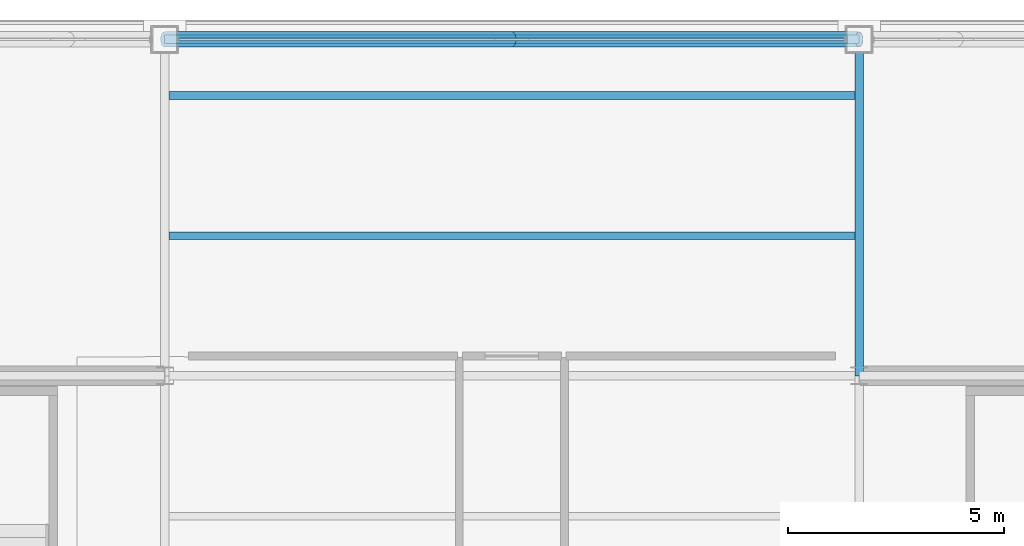
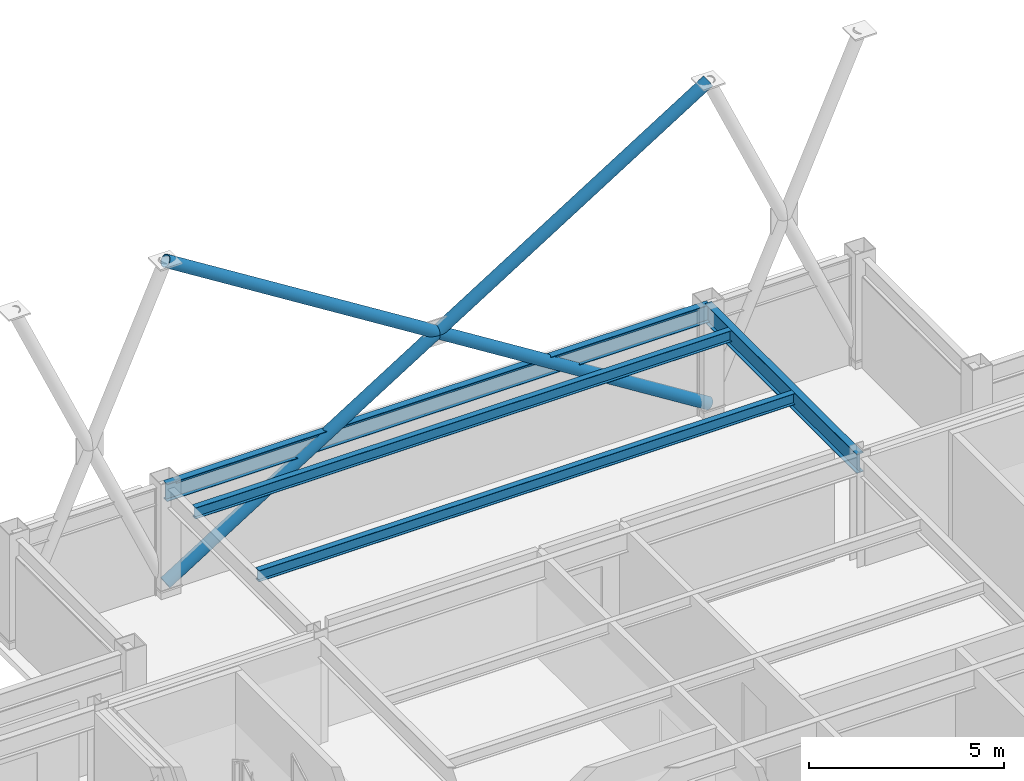
# One storey, part 19 of 27: 4 beams, 4 members, 1 element without a shape of its own.
"""IFC4 building model written with IfcOpenShell, lengths in metres."""

from ifc_helpers import new_model, si_unit, direction, frame, origin, origin_2d, place, context, subcontext, project, spatial, hollow_rectangle, hollow_circle, i_section, extrude, material, layer, layer_set, material_profile, profile_set, type_object, element, aggregate, save


model = new_model("IFC4")

# Units and contexts
model_context = context("Model", 3, precision=1e-05, world=origin(), true_north=direction((0.0, 1.0)))
body_context = subcontext(model_context, "Body", "Model", "MODEL_VIEW")
ifc_project = project(units=[si_unit("LENGTHUNIT", "METRE"), si_unit("AREAUNIT", "SQUARE_METRE"), si_unit("VOLUMEUNIT", "CUBIC_METRE"), si_unit("PLANEANGLEUNIT", "RADIAN"), si_unit("MASSUNIT", "GRAM", prefix="KILO")], contexts=[model_context])

# Site, building, storey
site_placement = place(None, origin())
site = spatial("IfcSite", under=ifc_project, at=site_placement, CompositionType="ELEMENT")
building_placement = place(site_placement, origin())
building = spatial("IfcBuilding", under=site, at=building_placement, Name="Brelmoor Portico Tower", CompositionType="ELEMENT")
storey_placement = place(building_placement, frame((0.0, 0.0, 258.0)))
storey = spatial("IfcBuildingStorey", under=building, at=storey_placement, Name="L68", CompositionType="ELEMENT", Elevation=258.0)

# Beams
ifc_material_1 = material(Name="Steel Q355B", Category="steel")
ifc_material_profile_1 = material_profile(ifc_material_1, i_section(OverallWidth=0.175048828125, OverallDepth=0.35009765625, WebThickness=0.007080078125, FlangeThickness=0.010986328125, at=origin_2d()), Name="HN 350x175x7x11")
ifc_profile_set_1 = profile_set([ifc_material_profile_1], Name="Steel Q355B")
beam_type_1 = type_object("IfcBeamType", Name="BM-JS-350", PredefinedType="JOIST", material=ifc_profile_set_1)
for number, where, z_axis, x_axis, name in (
    (1, (-7.949951171875, 13.0, 3.22509765625), (1.0, 0.0, 0.0), (0.0, 1.0, 0.0), "L68 Secondary Composite Joist JS-C05"),
    (2, (-7.949951171875, 16.25, 3.22509765625), (1.0, 0.0, 0.0), (0.0, 1.0, 0.0), "L68 Secondary Composite Joist JS-C06"),
):
    element("IfcBeam", number, at=place(storey_placement, frame(where, z_axis=z_axis, x_axis=x_axis)), inside=storey, type_object=beam_type_1, Name=name, PredefinedType="JOIST", context=body_context, shape_type="SweptSolid", body=[
        extrude(i_section(OverallWidth=0.175048828125, OverallDepth=0.35009765625, WebThickness=0.007080078125, FlangeThickness=0.010986328125, at=origin_2d()), origin(), (0.0, 0.0, 1.0), 15.89990234375),
    ])
ifc_material_profile_2 = material_profile(ifc_material_1, i_section(OverallWidth=0.199951171875, OverallDepth=0.60009765625, WebThickness=0.010986328125, FlangeThickness=0.01708984375, at=origin_2d()), Name="HN 600x200x11x17")
ifc_profile_set_2 = profile_set([ifc_material_profile_2], Name="Steel Q355B")
beam_type_2 = type_object("IfcBeamType", Name="BM-PG-600", PredefinedType="BEAM", material=ifc_profile_set_2)
beam_1_placement = place(storey_placement, frame((8.050048828125, 9.75, 3.10009765625), z_axis=(0.0, 1.0, 0.0), x_axis=(-1.0, 0.0, 0.0)))
element("IfcBeam", 3, at=beam_1_placement, inside=storey, type_object=beam_type_2, Name="L68 Primary Floor Girder PG-08", PredefinedType="BEAM", context=body_context, shape_type="SweptSolid", body=[
    extrude(i_section(OverallWidth=0.199951171875, OverallDepth=0.60009765625, WebThickness=0.010986328125, FlangeThickness=0.01708984375, at=origin_2d()), origin(), (0.0, 0.0, 1.0), 7.800048828125),
])
ifc_material_profile_3 = material_profile(ifc_material_1, i_section(OverallWidth=0.199951171875, OverallDepth=0.550048828125, WebThickness=0.010009765625, FlangeThickness=0.01611328125, at=origin_2d()), Name="HN 550x200x10x16")
ifc_profile_set_3 = profile_set([ifc_material_profile_3], Name="Steel Q355B")
beam_type_3 = type_object("IfcBeamType", Name="BM-SP-550", PredefinedType="SPANDREL", material=ifc_profile_set_3)
beam_2_placement = place(storey_placement, frame((-8.050048828125, 17.550048828125, 3.125), z_axis=(1.0, 0.0, 0.0), x_axis=(0.0, 1.0, 0.0)))
element("IfcBeam", 4, at=beam_2_placement, inside=storey, type_object=beam_type_3, Name="L68 Perimeter Spandrel Beam SP-09", PredefinedType="SPANDREL", context=body_context, shape_type="SweptSolid", body=[
    extrude(i_section(OverallWidth=0.199951171875, OverallDepth=0.550048828125, WebThickness=0.010009765625, FlangeThickness=0.01611328125, at=origin_2d()), origin(), (0.0, 0.0, 1.0), 16.10009765625),
])

# Members
ifc_material_profile_4 = material_profile(ifc_material_1, hollow_circle(Radius=0.177978515625, WallThickness=0.01611328125, at=origin_2d()), Name="CHS 356x16")
ifc_profile_set_4 = profile_set([ifc_material_profile_4], Name="Steel Q355B")
member_type_1 = type_object("IfcMemberType", Name="MB-BELT-DIAG2", PredefinedType="BRACE", material=ifc_profile_set_4)
member_1_placement = place(storey_placement, frame((-8.050048828125, 17.550048828125, 0.25), z_axis=(0.847109476093, 0.0, 0.531418418493), x_axis=(0.0, 1.0, 0.0)))
element("IfcMember", 5, at=member_1_placement, inside=storey, type_object=member_type_1, Name="L68 Continuous Mega-X Brace 152A", PredefinedType="BRACE", context=body_context, shape_type="SweptSolid", body=[
    extrude(hollow_circle(Radius=0.177978515625, WallThickness=0.01611328125, at=origin_2d()), origin(), (0.0, 0.0, 1.0), 19.005859375),
])
for number, where, z_axis, x_axis, name in (
    (6, (8.050048828125, 17.550048828125, 0.25), (-0.847109476093, 0.0, 0.531418418493), (0.0, -1.0, 0.0), "L68 Split Mega-X Brace 152B1"),
    (7, (0.0, 17.550048828125, 5.300048828125), (-0.847109476093, 0.0, 0.531418418493), (0.0, -1.0, 0.0), "L68 Split Mega-X Brace 152B2"),
):
    element("IfcMember", number, at=place(storey_placement, frame(where, z_axis=z_axis, x_axis=x_axis)), inside=storey, type_object=member_type_1, Name=name, PredefinedType="BRACE", context=body_context, shape_type="SweptSolid", body=[
        extrude(hollow_circle(Radius=0.177978515625, WallThickness=0.01611328125, at=origin_2d()), origin(), (0.0, 0.0, 1.0), 9.5029296875),
    ])

# Curtain wall, member
ifc_material_2 = material(Name="Anodised Aluminium Alloy 6063-T6", Category="aluminium")
ifc_layer = layer(ifc_material_2, 0.179931640625)
ifc_layer_set = layer_set([ifc_layer], Name="Anodised Aluminium Alloy 6063-T6")
curtain_wall_type = type_object("IfcCurtainWallType", Name="CW-TOWER-Z4-XB", PredefinedType="NOTDEFINED", material=ifc_layer_set)
curtain_wall_placement = place(storey_placement, origin())
curtain_wall = element("IfcCurtainWall", 8, at=curtain_wall_placement, inside=storey, type_object=curtain_wall_type, Name="L68 Curtain Wall CW-L68-02-2", PredefinedType="NOTDEFINED")
ifc_material_profile_5 = material_profile(ifc_material_2, hollow_rectangle(XDim=0.06005859375, YDim=0.125, WallThickness=0.00341796875, at=origin_2d()), Name="ALU TRANSOM 60x125")
ifc_profile_set_5 = profile_set([ifc_material_profile_5], Name="Anodised Aluminium Alloy 6063-T6")
member_type_2 = type_object("IfcMemberType", Name="MB-CW-TRAN-125", PredefinedType="USERDEFINED", material=ifc_profile_set_5)
member_2_placement = place(storey_placement, frame((-7.739990234375, 17.550048828125, 3.33740234375), z_axis=(1.0, 0.0, 0.0), x_axis=(0.0, 1.0, 0.0)))
member_2 = element("IfcMember", 9, at=member_2_placement, type_object=member_type_2, Name="CW-L68-02-2 Transom 1-00", ObjectType="TRANSOM", PredefinedType="USERDEFINED", context=body_context, shape_type="SweptSolid", body=[
    extrude(hollow_rectangle(XDim=0.06005859375, YDim=0.125, WallThickness=0.00341796875, at=origin_2d()), origin(), (0.0, 0.0, 1.0), 15.47998046875),
])
aggregate(curtain_wall, [member_2])

save(model, "model.ifc")
